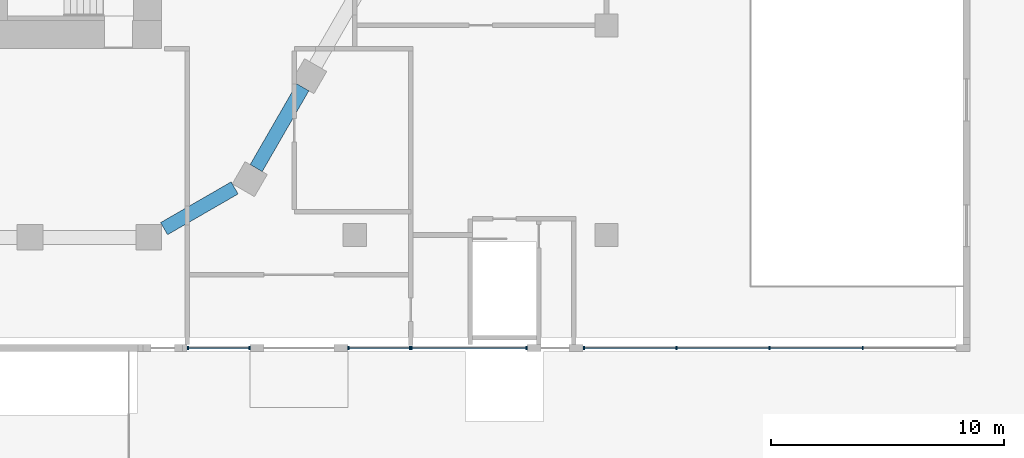
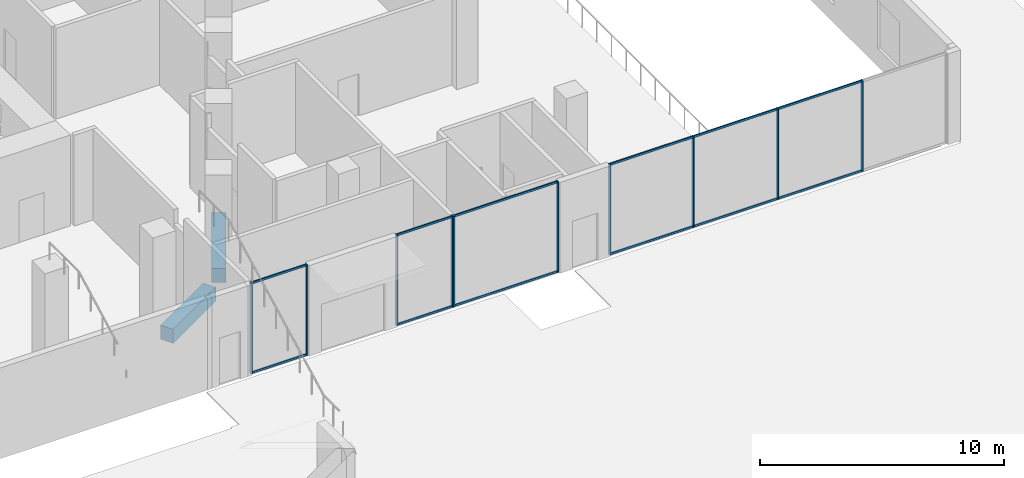
# One storey, part 7 of 57: 22 members, 2 beams, 4 elements without a shape of their own.
"""IFC4 building model written with IfcOpenShell, lengths in metres."""

from ifc_helpers import new_model, si_unit, direction, frame, origin, origin_2d, place, context, subcontext, project, spatial, rectangle, hollow_rectangle, extrude, material, material_profile, profile_set, type_object, element, aggregate, save


model = new_model("IFC4")

# Units and contexts
model_context = context("Model", 3, precision=1e-05, world=origin(), true_north=direction((0.0, 1.0)))
body_context = subcontext(model_context, "Body", "Model", "MODEL_VIEW")
ifc_project = project(units=[si_unit("LENGTHUNIT", "METRE"), si_unit("AREAUNIT", "SQUARE_METRE"), si_unit("VOLUMEUNIT", "CUBIC_METRE"), si_unit("PLANEANGLEUNIT", "RADIAN"), si_unit("MASSUNIT", "GRAM", prefix="KILO")], contexts=[model_context])

# Site, building, storey
site_placement = place(None, origin())
site = spatial("IfcSite", under=ifc_project, at=site_placement, CompositionType="ELEMENT")
building_placement = place(site_placement, origin())
building = spatial("IfcBuilding", under=site, at=building_placement, Name="Beryl Residences", CompositionType="ELEMENT")
storey_placement = place(building_placement, origin())
storey = spatial("IfcBuildingStorey", under=building, at=storey_placement, Name="L00", CompositionType="ELEMENT", Elevation=0.0)

# Curtain wall, members
ifc_material_1 = material(Name="Aluminium and clear glass", Category="aluminium")
curtain_wall_type_1 = type_object("IfcCurtainWallType", Name="CW1 shopfront glazed wall", PredefinedType="NOTDEFINED", material=ifc_material_1)
curtain_wall_1_placement = place(storey_placement, origin())
curtain_wall_1 = element("IfcCurtainWall", 1, at=curtain_wall_1_placement, inside=storey, type_object=curtain_wall_type_1, Name="CW1 L00 S", PredefinedType="NOTDEFINED")
ifc_material_2 = material(Name="Aluminium", Category="aluminium")
ifc_material_profile_1 = material_profile(ifc_material_2, rectangle(XDim=0.06005859375, YDim=0.14990234375, at=origin_2d()))
ifc_profile_set_1 = profile_set([ifc_material_profile_1], Name="Aluminium")
member_type_1 = type_object("IfcMemberType", Name="CW1-M mullion 60 x 150 mm", PredefinedType="MULLION", material=ifc_profile_set_1)
member_1_placement = place(storey_placement, frame((24.030029296875, -31.85009765625, 0.0), z_axis=(0.0, 0.0, 1.0), x_axis=(1.0, 0.0, 0.0)))
member_1 = element("IfcMember", 2, at=member_1_placement, type_object=member_type_1, Name="CW1 mullion 1", PredefinedType="MULLION", context=body_context, shape_type="SweptSolid", body=[
    extrude(rectangle(XDim=0.06005859375, YDim=0.14990234375, at=origin_2d()), origin(), (0.0, 0.0, 1.0), 4.550048828125),
])
member_2_placement = place(storey_placement, frame((28.969970703125, -31.85009765625, 0.0), z_axis=(0.0, 0.0, 1.0), x_axis=(1.0, 0.0, 0.0)))
member_2 = element("IfcMember", 3, at=member_2_placement, type_object=member_type_1, Name="CW1 mullion 2", PredefinedType="MULLION", context=body_context, shape_type="SweptSolid", body=[
    extrude(rectangle(XDim=0.06005859375, YDim=0.14990234375, at=origin_2d()), origin(), (0.0, 0.0, 1.0), 4.550048828125),
])

curtain_wall_2_placement = place(storey_placement, origin())
curtain_wall_2 = element("IfcCurtainWall", 4, at=curtain_wall_2_placement, inside=storey, type_object=curtain_wall_type_1, Name="CW1 L00 S", PredefinedType="NOTDEFINED")
member_3_placement = place(storey_placement, frame((31.429931640625, -31.85009765625, 0.0), z_axis=(0.0, 0.0, 1.0), x_axis=(1.0, 0.0, 0.0)))
member_3 = element("IfcMember", 5, at=member_3_placement, type_object=member_type_1, Name="CW1 mullion 1", PredefinedType="MULLION", context=body_context, shape_type="SweptSolid", body=[
    extrude(rectangle(XDim=0.06005859375, YDim=0.14990234375, at=origin_2d()), origin(), (0.0, 0.0, 1.0), 4.550048828125),
])
member_4_placement = place(storey_placement, frame((35.39990234375, -31.85009765625, 0.0), z_axis=(0.0, 0.0, 1.0), x_axis=(1.0, 0.0, 0.0)))
member_4 = element("IfcMember", 6, at=member_4_placement, type_object=member_type_1, Name="CW1 mullion 2", PredefinedType="MULLION", context=body_context, shape_type="SweptSolid", body=[
    extrude(rectangle(XDim=0.06005859375, YDim=0.14990234375, at=origin_2d()), origin(), (0.0, 0.0, 1.0), 4.550048828125),
])
member_5_placement = place(storey_placement, frame((39.39990234375, -31.85009765625, 0.0), z_axis=(0.0, 0.0, 1.0), x_axis=(1.0, 0.0, 0.0)))
member_5 = element("IfcMember", 7, at=member_5_placement, type_object=member_type_1, Name="CW1 mullion 3", PredefinedType="MULLION", context=body_context, shape_type="SweptSolid", body=[
    extrude(rectangle(XDim=0.06005859375, YDim=0.14990234375, at=origin_2d()), origin(), (0.0, 0.0, 1.0), 4.550048828125),
])
member_6_placement = place(storey_placement, frame((43.39990234375, -31.85009765625, 0.0), z_axis=(0.0, 0.0, 1.0), x_axis=(1.0, 0.0, 0.0)))
member_6 = element("IfcMember", 8, at=member_6_placement, type_object=member_type_1, Name="CW1 mullion 4", PredefinedType="MULLION", context=body_context, shape_type="SweptSolid", body=[
    extrude(rectangle(XDim=0.06005859375, YDim=0.14990234375, at=origin_2d()), origin(), (0.0, 0.0, 1.0), 4.550048828125),
])

# Member
ifc_material_3 = material(Name="Aluminium", Category="aluminium")
ifc_material_profile_2 = material_profile(ifc_material_3, hollow_rectangle(XDim=0.06005859375, YDim=0.10009765625, WallThickness=0.00390625, at=origin_2d()))
ifc_profile_set_2 = profile_set([ifc_material_profile_2], Name="Aluminium")
member_type_2 = type_object("IfcMemberType", Name="CW1-T transom 60 x 100 mm", PredefinedType="USERDEFINED", material=ifc_profile_set_2)
member_7_placement = place(storey_placement, frame((24.06005859375, -31.85009765625, 0.030029296875), z_axis=(1.0, 0.0, 0.0), x_axis=(0.0, 1.0, 0.0)))
member_7 = element("IfcMember", 9, at=member_7_placement, type_object=member_type_2, Name="CW1 transom 1.1", ObjectType="TRANSOM", PredefinedType="USERDEFINED", context=body_context, shape_type="SweptSolid", body=[
    extrude(hollow_rectangle(XDim=0.06005859375, YDim=0.10009765625, WallThickness=0.00390625, at=origin_2d()), origin(), (0.0, 0.0, 1.0), 4.8798828125),
])

member_8_placement = place(storey_placement, frame((24.06005859375, -31.85009765625, 4.52001953125), z_axis=(1.0, 0.0, 0.0), x_axis=(0.0, 1.0, 0.0)))
member_8 = element("IfcMember", 10, at=member_8_placement, type_object=member_type_2, Name="CW1 transom 1.2", ObjectType="TRANSOM", PredefinedType="USERDEFINED", context=body_context, shape_type="SweptSolid", body=[
    extrude(hollow_rectangle(XDim=0.06005859375, YDim=0.10009765625, WallThickness=0.00390625, at=origin_2d()), origin(), (0.0, 0.0, 1.0), 4.8798828125),
])

aggregate(curtain_wall_1, [member_1, member_2, member_7, member_8])

member_9_placement = place(storey_placement, frame((31.4599609375, -31.85009765625, 0.030029296875), z_axis=(1.0, 0.0, 0.0), x_axis=(0.0, 1.0, 0.0)))
member_9 = element("IfcMember", 11, at=member_9_placement, type_object=member_type_2, Name="CW1 transom 1.1", ObjectType="TRANSOM", PredefinedType="USERDEFINED", context=body_context, shape_type="SweptSolid", body=[
    extrude(hollow_rectangle(XDim=0.06005859375, YDim=0.10009765625, WallThickness=0.00390625, at=origin_2d()), origin(), (0.0, 0.0, 1.0), 3.91015625),
])

member_10_placement = place(storey_placement, frame((31.4599609375, -31.85009765625, 4.52001953125), z_axis=(1.0, 0.0, 0.0), x_axis=(0.0, 1.0, 0.0)))
member_10 = element("IfcMember", 12, at=member_10_placement, type_object=member_type_2, Name="CW1 transom 1.2", ObjectType="TRANSOM", PredefinedType="USERDEFINED", context=body_context, shape_type="SweptSolid", body=[
    extrude(hollow_rectangle(XDim=0.06005859375, YDim=0.10009765625, WallThickness=0.00390625, at=origin_2d()), origin(), (0.0, 0.0, 1.0), 3.91015625),
])

member_11_placement = place(storey_placement, frame((35.429931640625, -31.85009765625, 0.030029296875), z_axis=(1.0, 0.0, 0.0), x_axis=(0.0, 1.0, 0.0)))
member_11 = element("IfcMember", 13, at=member_11_placement, type_object=member_type_2, Name="CW1 transom 2.1", ObjectType="TRANSOM", PredefinedType="USERDEFINED", context=body_context, shape_type="SweptSolid", body=[
    extrude(hollow_rectangle(XDim=0.06005859375, YDim=0.10009765625, WallThickness=0.00390625, at=origin_2d()), origin(), (0.0, 0.0, 1.0), 3.940185546875),
])

member_12_placement = place(storey_placement, frame((35.429931640625, -31.85009765625, 4.52001953125), z_axis=(1.0, 0.0, 0.0), x_axis=(0.0, 1.0, 0.0)))
member_12 = element("IfcMember", 14, at=member_12_placement, type_object=member_type_2, Name="CW1 transom 2.2", ObjectType="TRANSOM", PredefinedType="USERDEFINED", context=body_context, shape_type="SweptSolid", body=[
    extrude(hollow_rectangle(XDim=0.06005859375, YDim=0.10009765625, WallThickness=0.00390625, at=origin_2d()), origin(), (0.0, 0.0, 1.0), 3.940185546875),
])

member_13_placement = place(storey_placement, frame((39.429931640625, -31.85009765625, 0.030029296875), z_axis=(1.0, 0.0, 0.0), x_axis=(0.0, 1.0, 0.0)))
member_13 = element("IfcMember", 15, at=member_13_placement, type_object=member_type_2, Name="CW1 transom 3.1", ObjectType="TRANSOM", PredefinedType="USERDEFINED", context=body_context, shape_type="SweptSolid", body=[
    extrude(hollow_rectangle(XDim=0.06005859375, YDim=0.10009765625, WallThickness=0.00390625, at=origin_2d()), origin(), (0.0, 0.0, 1.0), 3.940185546875),
])

member_14_placement = place(storey_placement, frame((39.429931640625, -31.85009765625, 4.52001953125), z_axis=(1.0, 0.0, 0.0), x_axis=(0.0, 1.0, 0.0)))
member_14 = element("IfcMember", 16, at=member_14_placement, type_object=member_type_2, Name="CW1 transom 3.2", ObjectType="TRANSOM", PredefinedType="USERDEFINED", context=body_context, shape_type="SweptSolid", body=[
    extrude(hollow_rectangle(XDim=0.06005859375, YDim=0.10009765625, WallThickness=0.00390625, at=origin_2d()), origin(), (0.0, 0.0, 1.0), 3.940185546875),
])

aggregate(curtain_wall_2, [member_3, member_4, member_5, member_6, member_9, member_10, member_11, member_12, member_13, member_14])

# Curtain wall, members
ifc_material_4 = material(Name="Aluminium and clear glass", Category="aluminium")
curtain_wall_type_2 = type_object("IfcCurtainWallType", Name="CW5 lobby and retail return glazing glazed wall", PredefinedType="NOTDEFINED", material=ifc_material_4)
curtain_wall_3_placement = place(storey_placement, origin())
curtain_wall_3 = element("IfcCurtainWall", 17, at=curtain_wall_3_placement, inside=storey, type_object=curtain_wall_type_2, Name="CW5 L00 S", PredefinedType="NOTDEFINED")
ifc_material_5 = material(Name="Aluminium", Category="aluminium")
ifc_material_profile_3 = material_profile(ifc_material_5, rectangle(XDim=0.06005859375, YDim=0.139892578125, at=origin_2d()))
ifc_profile_set_3 = profile_set([ifc_material_profile_3], Name="Aluminium")
member_type_3 = type_object("IfcMemberType", Name="CW5-M mullion 60 x 140 mm", PredefinedType="MULLION", material=ifc_profile_set_3)
member_15_placement = place(storey_placement, frame((14.429931640625, -31.85009765625, 0.0), z_axis=(0.0, 0.0, 1.0), x_axis=(1.0, 0.0, 0.0)))
member_15 = element("IfcMember", 18, at=member_15_placement, type_object=member_type_3, Name="CW5 mullion 1", PredefinedType="MULLION", context=body_context, shape_type="SweptSolid", body=[
    extrude(rectangle(XDim=0.06005859375, YDim=0.139892578125, at=origin_2d()), origin(), (0.0, 0.0, 1.0), 4.550048828125),
])
member_16_placement = place(storey_placement, frame((17.070068359375, -31.85009765625, 0.0), z_axis=(0.0, 0.0, 1.0), x_axis=(1.0, 0.0, 0.0)))
member_16 = element("IfcMember", 19, at=member_16_placement, type_object=member_type_3, Name="CW5 mullion 2", PredefinedType="MULLION", context=body_context, shape_type="SweptSolid", body=[
    extrude(rectangle(XDim=0.06005859375, YDim=0.139892578125, at=origin_2d()), origin(), (0.0, 0.0, 1.0), 4.550048828125),
])

curtain_wall_4_placement = place(storey_placement, origin())
curtain_wall_4 = element("IfcCurtainWall", 20, at=curtain_wall_4_placement, inside=storey, type_object=curtain_wall_type_2, Name="CW5 L00 S", PredefinedType="NOTDEFINED")
member_17_placement = place(storey_placement, frame((21.330078125, -31.85009765625, 0.0), z_axis=(0.0, 0.0, 1.0), x_axis=(1.0, 0.0, 0.0)))
member_17 = element("IfcMember", 21, at=member_17_placement, type_object=member_type_3, Name="CW5 mullion 1", PredefinedType="MULLION", context=body_context, shape_type="SweptSolid", body=[
    extrude(rectangle(XDim=0.06005859375, YDim=0.139892578125, at=origin_2d()), origin(), (0.0, 0.0, 1.0), 4.550048828125),
])
member_18_placement = place(storey_placement, frame((23.969970703125, -31.85009765625, 0.0), z_axis=(0.0, 0.0, 1.0), x_axis=(1.0, 0.0, 0.0)))
member_18 = element("IfcMember", 22, at=member_18_placement, type_object=member_type_3, Name="CW5 mullion 2", PredefinedType="MULLION", context=body_context, shape_type="SweptSolid", body=[
    extrude(rectangle(XDim=0.06005859375, YDim=0.139892578125, at=origin_2d()), origin(), (0.0, 0.0, 1.0), 4.550048828125),
])

# Member
ifc_material_6 = material(Name="Aluminium", Category="aluminium")
ifc_material_profile_4 = material_profile(ifc_material_6, hollow_rectangle(XDim=0.06005859375, YDim=0.10009765625, WallThickness=0.00390625, at=origin_2d()))
ifc_profile_set_4 = profile_set([ifc_material_profile_4], Name="Aluminium")
member_type_4 = type_object("IfcMemberType", Name="CW5-T transom 60 x 100 mm", PredefinedType="USERDEFINED", material=ifc_profile_set_4)
member_19_placement = place(storey_placement, frame((14.4599609375, -31.85009765625, 0.030029296875), z_axis=(1.0, 0.0, 0.0), x_axis=(0.0, 1.0, 0.0)))
member_19 = element("IfcMember", 23, at=member_19_placement, type_object=member_type_4, Name="CW5 transom 1.1", ObjectType="TRANSOM", PredefinedType="USERDEFINED", context=body_context, shape_type="SweptSolid", body=[
    extrude(hollow_rectangle(XDim=0.06005859375, YDim=0.10009765625, WallThickness=0.00390625, at=origin_2d()), origin(), (0.0, 0.0, 1.0), 2.580078125),
])

member_20_placement = place(storey_placement, frame((14.4599609375, -31.85009765625, 4.52001953125), z_axis=(1.0, 0.0, 0.0), x_axis=(0.0, 1.0, 0.0)))
member_20 = element("IfcMember", 24, at=member_20_placement, type_object=member_type_4, Name="CW5 transom 1.2", ObjectType="TRANSOM", PredefinedType="USERDEFINED", context=body_context, shape_type="SweptSolid", body=[
    extrude(hollow_rectangle(XDim=0.06005859375, YDim=0.10009765625, WallThickness=0.00390625, at=origin_2d()), origin(), (0.0, 0.0, 1.0), 2.580078125),
])

aggregate(curtain_wall_3, [member_15, member_16, member_19, member_20])

member_21_placement = place(storey_placement, frame((21.360107421875, -31.85009765625, 0.030029296875), z_axis=(1.0, 0.0, 0.0), x_axis=(0.0, 1.0, 0.0)))
member_21 = element("IfcMember", 25, at=member_21_placement, type_object=member_type_4, Name="CW5 transom 1.1", ObjectType="TRANSOM", PredefinedType="USERDEFINED", context=body_context, shape_type="SweptSolid", body=[
    extrude(hollow_rectangle(XDim=0.06005859375, YDim=0.10009765625, WallThickness=0.00390625, at=origin_2d()), origin(), (0.0, 0.0, 1.0), 2.579833984375),
])

member_22_placement = place(storey_placement, frame((21.360107421875, -31.85009765625, 4.52001953125), z_axis=(1.0, 0.0, 0.0), x_axis=(0.0, 1.0, 0.0)))
member_22 = element("IfcMember", 26, at=member_22_placement, type_object=member_type_4, Name="CW5 transom 1.2", ObjectType="TRANSOM", PredefinedType="USERDEFINED", context=body_context, shape_type="SweptSolid", body=[
    extrude(hollow_rectangle(XDim=0.06005859375, YDim=0.10009765625, WallThickness=0.00390625, at=origin_2d()), origin(), (0.0, 0.0, 1.0), 2.579833984375),
])

aggregate(curtain_wall_4, [member_17, member_18, member_21, member_22])

# Beams
ifc_material_7 = material(Name="Concrete C80/95", Category="concrete")
ifc_material_profile_5 = material_profile(ifc_material_7, rectangle(XDim=0.60009765625, YDim=0.699951171875, at=origin_2d()))
ifc_profile_set_5 = profile_set([ifc_material_profile_5], Name="Concrete C80/95")
beam_type = type_object("IfcBeamType", Name="SB1 spandrel beam 600 x 700 C80/95", PredefinedType="SPANDREL", material=ifc_profile_set_5)
beam_1_placement = place(storey_placement, frame((13.410888671875, -26.72412109375, -0.800048828125), z_axis=(0.866121658299, 0.499833245218, 0.0), x_axis=(-0.499833245218, 0.866121658299, 0.0)))
element("IfcBeam", 27, at=beam_1_placement, inside=storey, type_object=beam_type, Name="SB1 L00 S-5", PredefinedType="SPANDREL", context=body_context, shape_type="SweptSolid", body=[
    extrude(rectangle(XDim=0.60009765625, YDim=0.699951171875, at=origin_2d()), origin(), (0.0, 0.0, 1.0), 3.497314453125),
])
beam_2_placement = place(storey_placement, frame((17.364990234375, -24.1240234375, -0.800048828125), z_axis=(0.499942357345, 0.866058681229, 0.0), x_axis=(-0.866058681229, 0.499942357345, 0.0)))
element("IfcBeam", 28, at=beam_2_placement, inside=storey, type_object=beam_type, Name="SB1 L00 SE-0", PredefinedType="SPANDREL", context=body_context, shape_type="SweptSolid", body=[
    extrude(rectangle(XDim=0.60009765625, YDim=0.699951171875, at=origin_2d()), origin(), (0.0, 0.0, 1.0), 4.00439453125),
])

save(model, "model.ifc")
